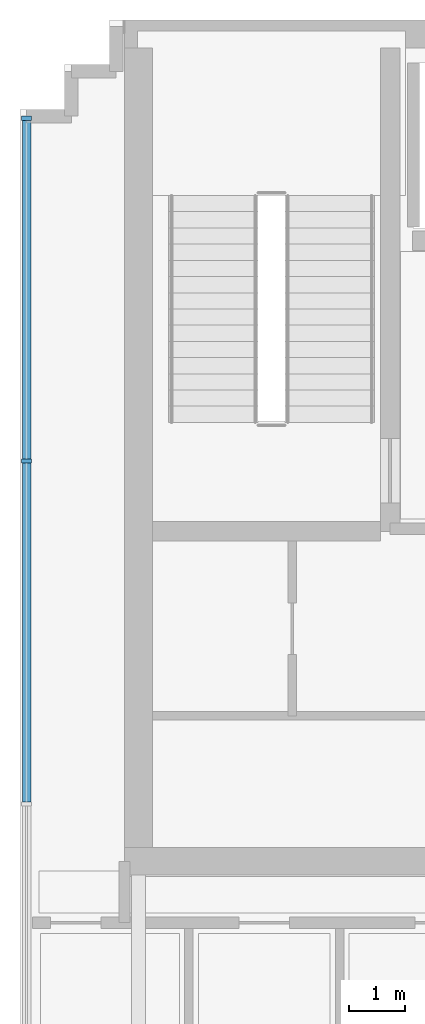
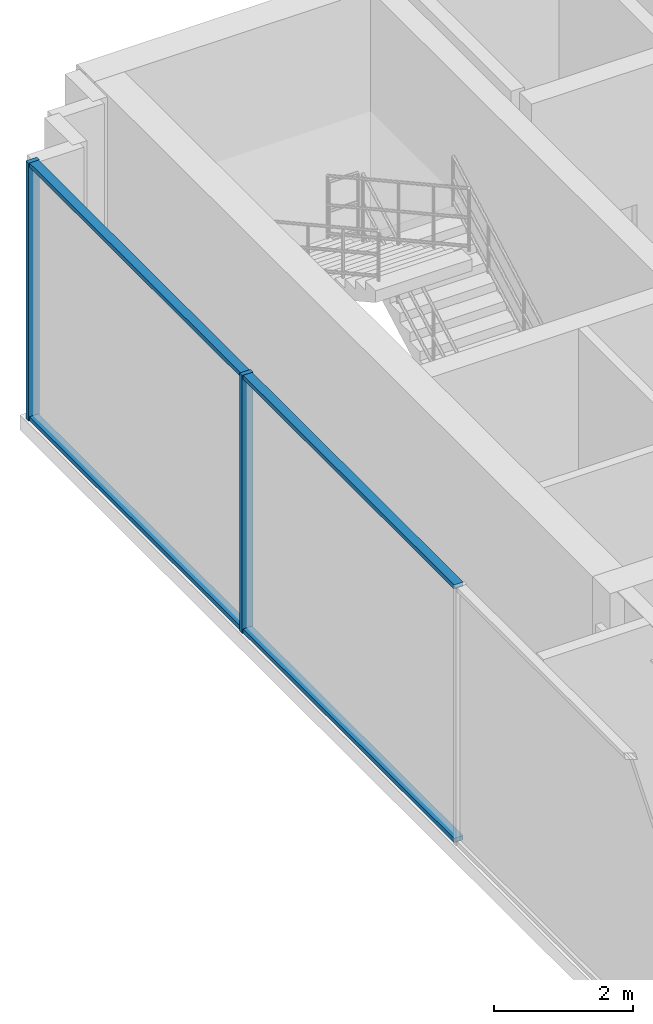
# One storey, part 2 of 11: 6 members, 1 element without a shape of its own.
"""IFC4 building model written with IfcOpenShell, lengths in metres."""

from ifc_helpers import new_model, si_unit, direction, frame, origin, origin_2d, place, context, subcontext, project, spatial, rectangle, extrude, source, transform, mapped, material, layer, layer_set, material_profile, profile_set, type_object, element, aggregate, save


model = new_model("IFC4")

# Units and contexts
model_context = context("Model", 3, precision=1e-05, world=origin(), true_north=direction((0.0, 1.0)))
body_context = subcontext(model_context, "Body", "Model", "MODEL_VIEW")
ifc_project = project(units=[si_unit("LENGTHUNIT", "METRE"), si_unit("AREAUNIT", "SQUARE_METRE"), si_unit("VOLUMEUNIT", "CUBIC_METRE"), si_unit("PLANEANGLEUNIT", "RADIAN"), si_unit("MASSUNIT", "GRAM", prefix="KILO")], contexts=[model_context])

# Site, building, storey
site_placement = place(None, origin())
site = spatial("IfcSite", under=ifc_project, at=site_placement, CompositionType="ELEMENT")
building_placement = place(site_placement, origin())
building = spatial("IfcBuilding", under=site, at=building_placement, Name="Qianlan Lanfeng Residences", CompositionType="ELEMENT")
storey_placement = place(building_placement, frame((0.0, 0.0, 266.0)))
storey = spatial("IfcBuildingStorey", under=building, at=storey_placement, Name="L74", CompositionType="ELEMENT", Elevation=266.0)

# Curtain wall, members
ifc_material = material(Name="Anodised Bronze Aluminium 6063-T6", Category="aluminium")
ifc_layer = layer(ifc_material, 0.219970703125)
ifc_layer_set = layer_set([ifc_layer], Name="Anodised Bronze Aluminium 6063-T6")
curtain_wall_type = type_object("IfcCurtainWallType", Name="CW-06", PredefinedType="NOTDEFINED", material=ifc_layer_set)
curtain_wall_placement = place(storey_placement, origin())
curtain_wall = element("IfcCurtainWall", 1, at=curtain_wall_placement, inside=storey, type_object=curtain_wall_type, Name="L74 Unitised Curtain Wall CWR-L74-06 (CW-06)", PredefinedType="NOTDEFINED")
ifc_material_profile_1 = material_profile(ifc_material, rectangle(XDim=0.074951171875, YDim=0.179931640625, at=origin_2d()), Name="ALU MULLION 75x180")
ifc_profile_set_1 = profile_set([ifc_material_profile_1], Name="Anodised Bronze Aluminium 6063-T6")
member_type_1 = type_object("IfcMemberType", Name="CWM-180", PredefinedType="MULLION", material=ifc_profile_set_1)
shared_shape_1 = source(origin(), body_context, "Body", "SweptSolid", [
    extrude(rectangle(XDim=0.074951171875, YDim=0.179931640625, at=origin_2d()), origin(), (0.0, 0.0, 1.0), 4.52001953125),
])
member_1_placement = place(storey_placement, frame((8.60009765625, 38.492431640625, 0.0), z_axis=(0.0, 0.0, 1.0), x_axis=(0.0, -1.0, 0.0)))
member_1 = element("IfcMember", 2, at=member_1_placement, type_object=member_type_1, Name="CWR-L74-06 Mullion 1", PredefinedType="MULLION", context=body_context, shape_type="MappedRepresentation", body=[
    mapped(shared_shape_1, transform((0.0, 0.0, 0.0), scale=1.0)),
])
member_2_placement = place(storey_placement, frame((8.60009765625, 32.35888671875, 0.0), z_axis=(0.0, 0.0, 1.0), x_axis=(0.0, -1.0, 0.0)))
member_2 = element("IfcMember", 3, at=member_2_placement, type_object=member_type_1, Name="CWR-L74-06 Mullion 2", PredefinedType="MULLION", context=body_context, shape_type="MappedRepresentation", body=[
    mapped(shared_shape_1, transform((0.0, 0.0, 0.0), scale=1.0)),
])
ifc_material_profile_2 = material_profile(ifc_material, rectangle(XDim=0.074951171875, YDim=0.14990234375, at=origin_2d()), Name="ALU TRANSOM 75x150")
ifc_profile_set_2 = profile_set([ifc_material_profile_2], Name="Anodised Bronze Aluminium 6063-T6")
member_type_2 = type_object("IfcMemberType", Name="CWT-150", PredefinedType="USERDEFINED", material=ifc_profile_set_2)
shared_shape_2 = source(origin(), body_context, "Body", "SweptSolid", [
    extrude(rectangle(XDim=0.074951171875, YDim=0.14990234375, at=origin_2d()), origin(), (0.0, 0.0, 1.0), 6.058837890625),
])
member_3_placement = place(storey_placement, frame((8.60009765625, 38.455078125, 0.03759765625), z_axis=(0.0, -1.0, 0.0), x_axis=(0.0, 0.0, 1.0)))
member_3 = element("IfcMember", 4, at=member_3_placement, type_object=member_type_2, Name="CWR-L74-06 Transom 1-BOT", ObjectType="TRANSOM", PredefinedType="USERDEFINED", context=body_context, shape_type="MappedRepresentation", body=[
    mapped(shared_shape_2, transform((0.0, 0.0, 0.0), scale=1.0)),
])
member_4_placement = place(storey_placement, frame((8.60009765625, 38.455078125, 4.482421875), z_axis=(0.0, -1.0, 0.0), x_axis=(0.0, 0.0, 1.0)))
member_4 = element("IfcMember", 5, at=member_4_placement, type_object=member_type_2, Name="CWR-L74-06 Transom 1-TOP", ObjectType="TRANSOM", PredefinedType="USERDEFINED", context=body_context, shape_type="MappedRepresentation", body=[
    mapped(shared_shape_2, transform((0.0, 0.0, 0.0), scale=1.0)),
])
member_5_placement = place(storey_placement, frame((8.60009765625, 32.3212890625, 0.03759765625), z_axis=(0.0, -1.0, 0.0), x_axis=(0.0, 0.0, 1.0)))
member_5 = element("IfcMember", 6, at=member_5_placement, type_object=member_type_2, Name="CWR-L74-06 Transom 2-BOT", ObjectType="TRANSOM", PredefinedType="USERDEFINED", context=body_context, shape_type="MappedRepresentation", body=[
    mapped(shared_shape_2, transform((0.0, 0.0, 0.0), scale=1.0)),
])
member_6_placement = place(storey_placement, frame((8.60009765625, 32.3212890625, 4.482421875), z_axis=(0.0, -1.0, 0.0), x_axis=(0.0, 0.0, 1.0)))
member_6 = element("IfcMember", 7, at=member_6_placement, type_object=member_type_2, Name="CWR-L74-06 Transom 2-TOP", ObjectType="TRANSOM", PredefinedType="USERDEFINED", context=body_context, shape_type="MappedRepresentation", body=[
    mapped(shared_shape_2, transform((0.0, 0.0, 0.0), scale=1.0)),
])
aggregate(curtain_wall, [member_1, member_2, member_3, member_4, member_5, member_6])

save(model, "model.ifc")
